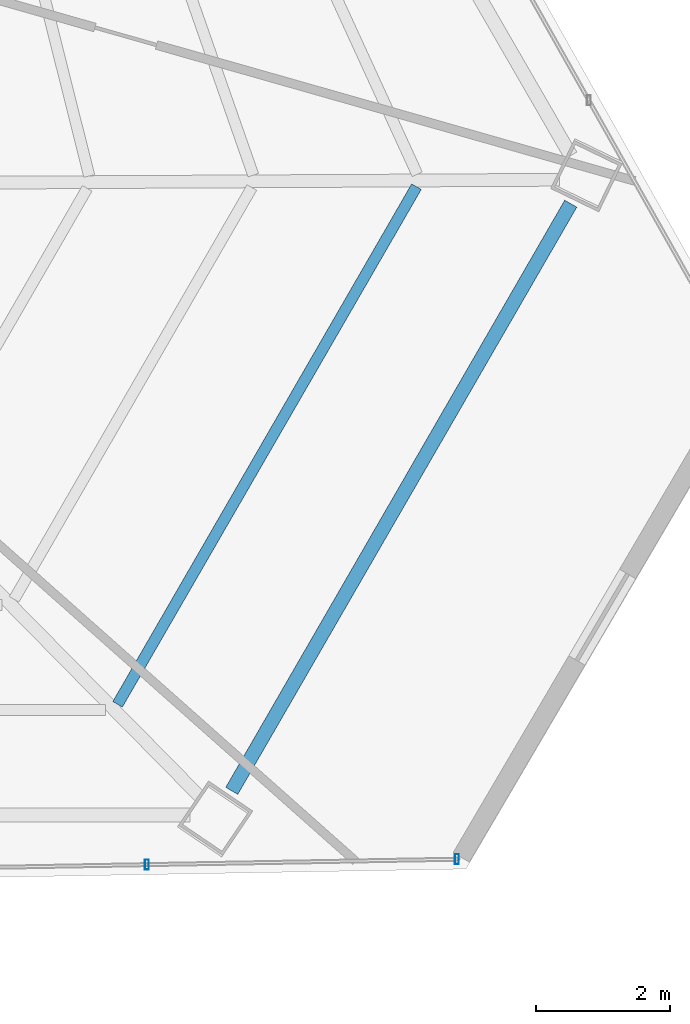
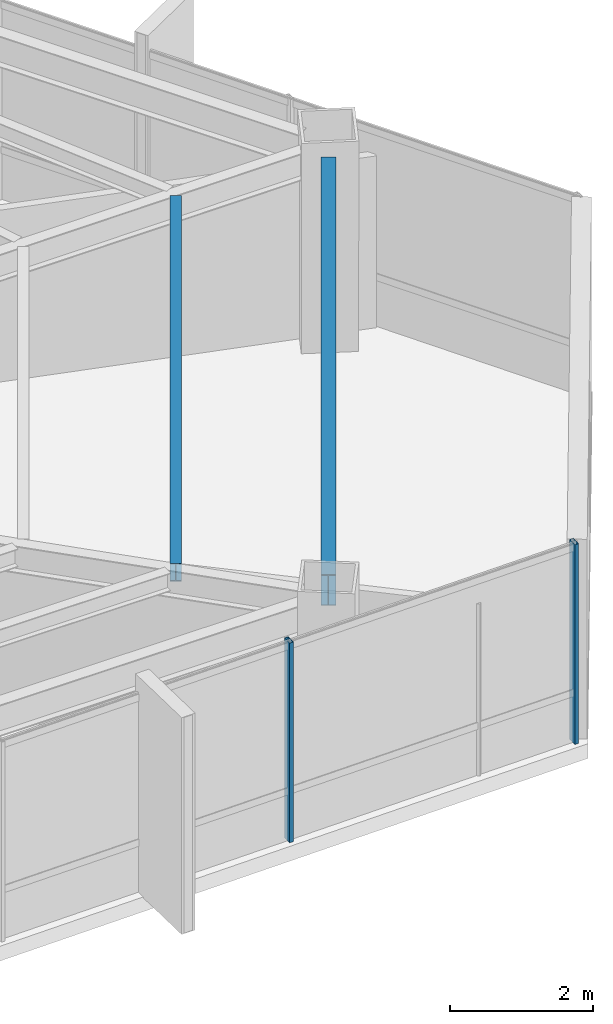
# One storey, part 20 of 42: 2 beams, 2 members, 1 element without a shape of its own.
"""IFC4 building model written with IfcOpenShell, lengths in metres."""

from ifc_helpers import new_model, si_unit, direction, frame, origin, origin_2d, place, context, subcontext, project, spatial, hollow_rectangle, i_section, extrude, source, transform, mapped, material, material_profile, profile_set, type_object, type_shapes, element, aggregate, save


model = new_model("IFC4")

# Units and contexts
model_context = context("Model", 3, precision=1e-05, world=origin(), true_north=direction((0.0, 1.0)))
body_context = subcontext(model_context, "Body", "Model", "MODEL_VIEW")
ifc_project = project(units=[si_unit("LENGTHUNIT", "METRE"), si_unit("AREAUNIT", "SQUARE_METRE"), si_unit("VOLUMEUNIT", "CUBIC_METRE"), si_unit("PLANEANGLEUNIT", "RADIAN"), si_unit("MASSUNIT", "GRAM", prefix="KILO")], contexts=[model_context])

# Site, building, storey
site_placement = place(None, origin())
site = spatial("IfcSite", under=ifc_project, at=site_placement, CompositionType="ELEMENT")
building_placement = place(site_placement, origin())
building = spatial("IfcBuilding", under=site, at=building_placement, Name="Caelisora Broadcast Tower", CompositionType="ELEMENT")
storey_placement = place(building_placement, frame((0.0, 0.0, 184.050048828125)))
storey = spatial("IfcBuildingStorey", under=building, at=storey_placement, Name="L48", CompositionType="ELEMENT", Elevation=184.050048828125)

# Beams
ifc_material_1 = material(Name="Steel Grade 350 (AS/NZS 3679.1)", Category="steel")
ifc_material_profile_1 = material_profile(ifc_material_1, i_section(OverallWidth=0.208984375, OverallDepth=0.532958984375, WebThickness=0.01025390625, FlangeThickness=0.015625, at=origin_2d()), Name="Steel Grade 350 (AS/NZS 3679.1)")
ifc_profile_set_1 = profile_set([ifc_material_profile_1], Name="Steel Grade 350 (AS/NZS 3679.1)")
beam_type_1 = type_object("IfcBeamType", Name="PG05", PredefinedType="BEAM", material=ifc_profile_set_1)
shared_shape_1 = source(origin(), body_context, "Body", "SweptSolid", [
    extrude(i_section(OverallWidth=0.208984375, OverallDepth=0.532958984375, WebThickness=0.01025390625, FlangeThickness=0.015625, at=origin_2d()), origin(), (0.0, 0.0, 1.0), 10.14208984375),
])
type_shapes(beam_type_1, [shared_shape_1])
beam_1_placement = place(storey_placement, frame((54.99658203125, 8.33154296875, 3.133544921875), z_axis=(0.500004454241, 0.866022832112, 0.0), x_axis=(-0.866022832112, 0.500004454241, 0.0)))
element("IfcBeam", 1, at=beam_1_placement, inside=storey, type_object=beam_type_1, Name="L48 beam PG05", PredefinedType="BEAM", context=body_context, shape_type="MappedRepresentation", body=[
    mapped(shared_shape_1, transform((0.0, 0.0, 0.0), scale=1.0)),
])
ifc_material_profile_2 = material_profile(ifc_material_1, i_section(OverallWidth=0.166015625, OverallDepth=0.30712890625, WebThickness=0.006591796875, FlangeThickness=0.01171875, at=origin_2d()), Name="Steel Grade 350 (AS/NZS 3679.1)")
ifc_profile_set_2 = profile_set([ifc_material_profile_2], Name="Steel Grade 350 (AS/NZS 3679.1)")
beam_type_2 = type_object("IfcBeamType", Name="SB03", PredefinedType="JOIST", material=ifc_profile_set_2)
shared_shape_2 = source(origin(), body_context, "Body", "SweptSolid", [
    extrude(i_section(OverallWidth=0.166015625, OverallDepth=0.30712890625, WebThickness=0.006591796875, FlangeThickness=0.01171875, at=origin_2d()), origin(), (0.0, 0.0, 1.0), 8.94140625),
])
type_shapes(beam_type_2, [shared_shape_2])
beam_2_placement = place(storey_placement, frame((53.28857421875, 9.6259765625, 3.246337890625), z_axis=(0.500003717096, 0.866023257707, 0.0), x_axis=(-0.866023257707, 0.500003717096, 0.0)))
element("IfcBeam", 2, at=beam_2_placement, inside=storey, type_object=beam_type_2, Name="L48 beam SB03", PredefinedType="JOIST", context=body_context, shape_type="MappedRepresentation", body=[
    mapped(shared_shape_2, transform((0.0, 0.0, 0.0), scale=1.0)),
])

# Curtain wall, members
ifc_material_2 = material(Name="Unitised Aluminium and Low-E Glass Curtain Wall", Category="glass")
curtain_wall_type = type_object("IfcCurtainWallType", Name="CW-Z4", PredefinedType="NOTDEFINED", material=ifc_material_2)
curtain_wall_placement = place(storey_placement, origin())
curtain_wall = element("IfcCurtainWall", 3, at=curtain_wall_placement, inside=storey, type_object=curtain_wall_type, Name="L48 curtain wall CW-Z4", PredefinedType="NOTDEFINED")
ifc_material_3 = material(Name="Aluminium 6063-T6 Anodised Terracotta Bronze", Category="aluminium")
ifc_material_profile_3 = material_profile(ifc_material_3, hollow_rectangle(XDim=0.06005859375, YDim=0.14990234375, WallThickness=0.00341796875, at=origin_2d()), Name="Aluminium 6063-T6 Anodised Terracotta Bronze")
ifc_profile_set_3 = profile_set([ifc_material_profile_3], Name="Aluminium 6063-T6 Anodised Terracotta Bronze")
member_type = type_object("IfcMemberType", Name="CWM-03", PredefinedType="MULLION", material=ifc_profile_set_3)
shared_shape_3 = source(origin(), body_context, "Body", "SweptSolid", [
    extrude(hollow_rectangle(XDim=0.06005859375, YDim=0.14990234375, WallThickness=0.00341796875, at=origin_2d()), origin(), (0.0, 0.0, 1.0), 3.39990234375),
])
type_shapes(member_type, [shared_shape_3])
member_1_placement = place(storey_placement, frame((58.364013671875, 7.30908203125, 0.0), z_axis=(0.0, 0.0, 1.0), x_axis=(1.0, 0.0, 0.0)))
member_1 = element("IfcMember", 4, at=member_1_placement, type_object=member_type, Name="L48-CW-B05 mullion #0", PredefinedType="MULLION", context=body_context, shape_type="MappedRepresentation", body=[
    mapped(shared_shape_3, transform((0.0, 0.0, 0.0), scale=1.0)),
])
member_2_placement = place(storey_placement, frame((53.725830078125, 7.227783203125, 0.0), z_axis=(0.0, 0.0, 1.0), x_axis=(1.0, 0.0, 0.0)))
member_2 = element("IfcMember", 5, at=member_2_placement, type_object=member_type, Name="L48-CW-B05 mullion #1", PredefinedType="MULLION", context=body_context, shape_type="MappedRepresentation", body=[
    mapped(shared_shape_3, transform((0.0, 0.0, 0.0), scale=1.0)),
])
aggregate(curtain_wall, [member_1, member_2])

save(model, "model.ifc")
